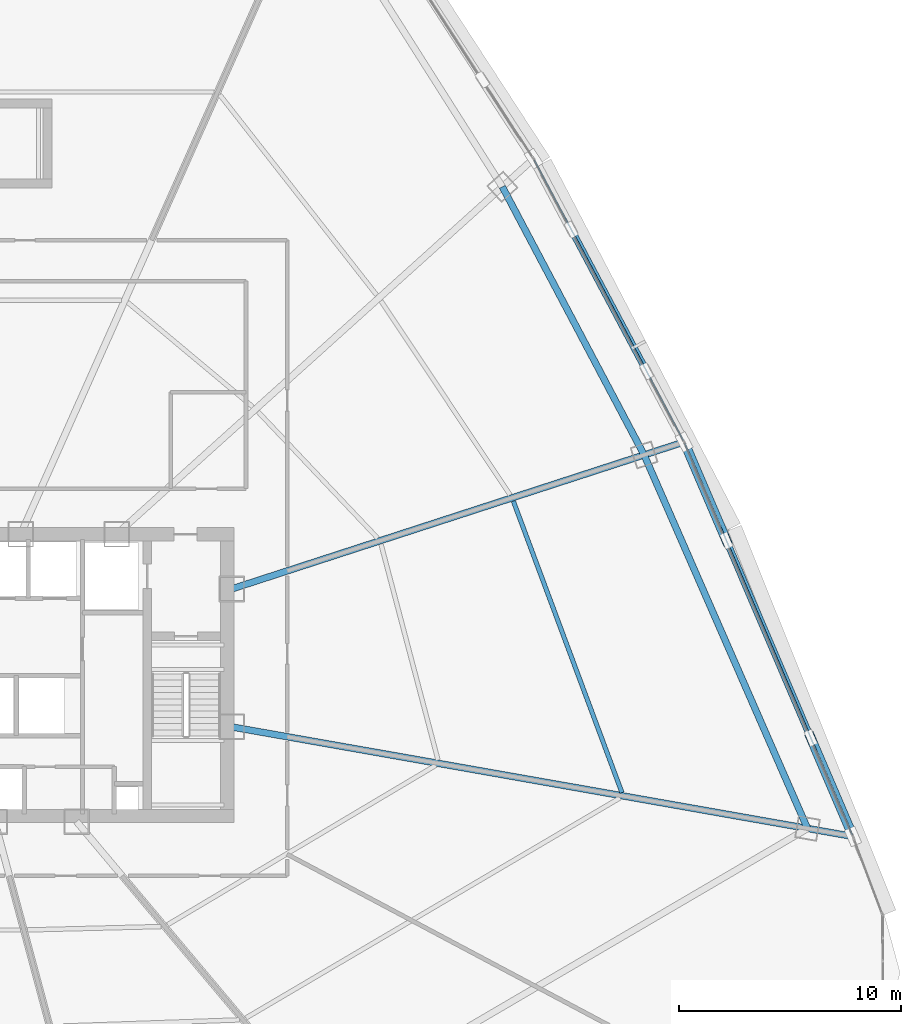
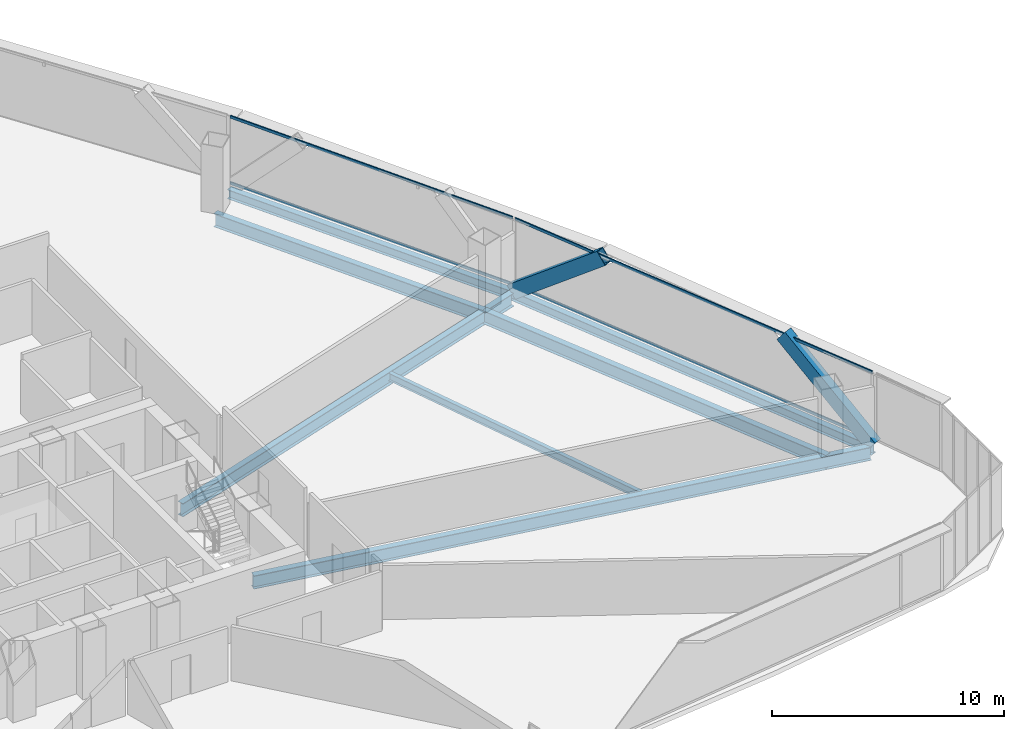
# One storey, part 23 of 39: 7 beams, 6 members, 2 elements without a shape of their own.
"""IFC4 building model written with IfcOpenShell, lengths in metres."""

from ifc_helpers import new_model, si_unit, direction, frame, origin, origin_2d, place, context, subcontext, project, spatial, hollow_rectangle, i_section, extrude, source, transform, mapped, material, layer, layer_set, material_profile, profile_set, type_object, element, aggregate, save


model = new_model("IFC4")

# Units and contexts
model_context = context("Model", 3, precision=1e-05, world=origin(), true_north=direction((0.0, 1.0)))
body_context = subcontext(model_context, "Body", "Model", "MODEL_VIEW")
ifc_project = project(units=[si_unit("LENGTHUNIT", "METRE"), si_unit("AREAUNIT", "SQUARE_METRE"), si_unit("VOLUMEUNIT", "CUBIC_METRE"), si_unit("PLANEANGLEUNIT", "RADIAN"), si_unit("MASSUNIT", "GRAM", prefix="KILO"), si_unit("THERMODYNAMICTEMPERATUREUNIT", "KELVIN"), si_unit("POWERUNIT", "WATT")], contexts=[model_context])

# Site, building, storey
site_placement = place(None, origin())
site = spatial("IfcSite", under=ifc_project, at=site_placement, CompositionType="ELEMENT")
building_placement = place(site_placement, origin())
building = spatial("IfcBuilding", under=site, at=building_placement, Name="Yunzhuo Pagoda Commons", CompositionType="ELEMENT")
storey_placement = place(building_placement, frame((0.0, 0.0, 96.3798828125)))
storey = spatial("IfcBuildingStorey", under=building, at=storey_placement, Name="L24", CompositionType="ELEMENT", Elevation=96.3798828125)

# Beams
ifc_material_1 = material(Name="Structural steel Q355B", Category="steel")
ifc_material_profile_1 = material_profile(ifc_material_1, i_section(OverallWidth=0.300048828125, OverallDepth=0.699951171875, WebThickness=0.012939453125, FlangeThickness=0.02392578125, at=origin_2d()), Name="Structural steel Q355B")
ifc_profile_set_1 = profile_set([ifc_material_profile_1], Name="Structural steel Q355B")
beam_type_1 = type_object("IfcBeamType", Name="B-RG1 Beam HN 700x300x13x24", PredefinedType="BEAM", material=ifc_profile_set_1)
shared_shape_1 = source(origin(), body_context, "Body", "SweptSolid", [
    extrude(i_section(OverallWidth=0.300048828125, OverallDepth=0.699951171875, WebThickness=0.012939453125, FlangeThickness=0.02392578125, at=origin_2d()), origin(), (0.0, 0.0, 1.0), 18.37158203125),
])
beam_1_placement = place(storey_placement, frame((86.352783203125, 26.9375, -0.609619140625), z_axis=(-0.400729599795, 0.916196369698, 0.0), x_axis=(-0.916196369698, -0.400729599795, 0.0)))
element("IfcBeam", 1, at=beam_1_placement, inside=storey, type_object=beam_type_1, Name="L24 column-ring beam 5", PredefinedType="BEAM", context=body_context, shape_type="MappedRepresentation", body=[
    mapped(shared_shape_1, transform((0.0, 0.0, 0.0), scale=1.0)),
])
shared_shape_2 = source(origin(), body_context, "Body", "SweptSolid", [
    extrude(i_section(OverallWidth=0.300048828125, OverallDepth=0.699951171875, WebThickness=0.012939453125, FlangeThickness=0.02392578125, at=origin_2d()), origin(), (0.0, 0.0, 1.0), 13.66748046875),
])
beam_2_placement = place(storey_placement, frame((78.99072265625, 43.76953125, -0.609619140625), z_axis=(-0.467383716456, 0.88405455804, 0.0), x_axis=(-0.88405455804, -0.467383716456, 0.0)))
element("IfcBeam", 2, at=beam_2_placement, inside=storey, type_object=beam_type_1, Name="L24 column-ring beam 6", PredefinedType="BEAM", context=body_context, shape_type="MappedRepresentation", body=[
    mapped(shared_shape_2, transform((0.0, 0.0, 0.0), scale=1.0)),
])
ifc_material_profile_2 = material_profile(ifc_material_1, i_section(OverallWidth=0.199951171875, OverallDepth=0.39990234375, WebThickness=0.008056640625, FlangeThickness=0.012939453125, at=origin_2d()), Name="Structural steel Q355B")
ifc_profile_set_2 = profile_set([ifc_material_profile_2], Name="Structural steel Q355B")
beam_type_2 = type_object("IfcBeamType", Name="B-JS1 Joist HN 400x200x8x13", PredefinedType="JOIST", material=ifc_profile_set_2)
shared_shape_3 = source(origin(), body_context, "Body", "SweptSolid", [
    extrude(i_section(OverallWidth=0.199951171875, OverallDepth=0.39990234375, WebThickness=0.008056640625, FlangeThickness=0.012939453125, at=origin_2d()), origin(), (0.0, 0.0, 1.0), 14.01904296875),
])
beam_3_placement = place(storey_placement, frame((77.992431640625, 28.55078125, -0.4599609375), z_axis=(-0.349168392993, 0.937059994523, 0.0), x_axis=(-0.937059994523, -0.349168392993, 0.0)))
element("IfcBeam", 3, at=beam_3_placement, inside=storey, type_object=beam_type_2, Name="L24 composite ring joist 2.5", PredefinedType="JOIST", context=body_context, shape_type="MappedRepresentation", body=[
    mapped(shared_shape_3, transform((0.0, 0.0, 0.0), scale=1.0)),
])
shared_shape_4 = source(origin(), body_context, "Body", "SweptSolid", [
    extrude(i_section(OverallWidth=0.300048828125, OverallDepth=0.699951171875, WebThickness=0.012939453125, FlangeThickness=0.02392578125, at=origin_2d()), origin(), (0.0, 0.0, 1.0), 28.281005859375),
])
beam_4_placement = place(storey_placement, frame((88.251220703125, 26.6025390625, -0.609619140625), z_axis=(-0.984808056581, 0.173646456036, 0.0), x_axis=(-0.173646456036, -0.984808056581, 0.0)))
element("IfcBeam", 4, at=beam_4_placement, inside=storey, type_object=beam_type_1, Name="L24 radial floor girder F2C1", PredefinedType="BEAM", context=body_context, shape_type="MappedRepresentation", body=[
    mapped(shared_shape_4, transform((0.0, 0.0, 0.0), scale=1.0)),
])
shared_shape_5 = source(origin(), body_context, "Body", "SweptSolid", [
    extrude(i_section(OverallWidth=0.300048828125, OverallDepth=0.699951171875, WebThickness=0.012939453125, FlangeThickness=0.02392578125, at=origin_2d()), origin(), (0.0, 0.0, 1.0), 21.291015625),
])
beam_5_placement = place(storey_placement, frame((80.64892578125, 44.308349609375, -0.609619140625), z_axis=(-0.951055975763, -0.309018657956, 0.0), x_axis=(0.309018657956, -0.951055975763, 0.0)))
element("IfcBeam", 5, at=beam_5_placement, inside=storey, type_object=beam_type_1, Name="L24 radial floor girder F2C2", PredefinedType="BEAM", context=body_context, shape_type="MappedRepresentation", body=[
    mapped(shared_shape_5, transform((0.0, 0.0, 0.0), scale=1.0)),
])
ifc_material_profile_3 = material_profile(ifc_material_1, i_section(OverallWidth=0.300048828125, OverallDepth=0.488037109375, WebThickness=0.010986328125, FlangeThickness=0.01806640625, at=origin_2d()), Name="Structural steel Q355B")
ifc_profile_set_3 = profile_set([ifc_material_profile_3], Name="Structural steel Q355B")
beam_type_3 = type_object("IfcBeamType", Name="B-SP1 Beam HM 488x300x11x18", PredefinedType="BEAM", material=ifc_profile_set_3)
shared_shape_6 = source(origin(), body_context, "Body", "SweptSolid", [
    extrude(i_section(OverallWidth=0.300048828125, OverallDepth=0.488037109375, WebThickness=0.010986328125, FlangeThickness=0.01806640625, at=origin_2d()), origin(), (0.0, 0.0, 1.0), 19.339599609375),
])
beam_6_placement = place(storey_placement, frame((88.40380859375, 26.57568359375, -0.50390625), z_axis=(-0.393360074903, 0.919384495993, 0.0), x_axis=(-0.919384495993, -0.393360074903, 0.0)))
element("IfcBeam", 6, at=beam_6_placement, inside=storey, type_object=beam_type_3, Name="L24 facade edge spandrel beam F2.1", PredefinedType="BEAM", context=body_context, shape_type="MappedRepresentation", body=[
    mapped(shared_shape_6, transform((0.0, 0.0, 0.0), scale=1.0)),
])
shared_shape_7 = source(origin(), body_context, "Body", "SweptSolid", [
    extrude(i_section(OverallWidth=0.300048828125, OverallDepth=0.488037109375, WebThickness=0.010986328125, FlangeThickness=0.01806640625, at=origin_2d()), origin(), (0.0, 0.0, 1.0), 14.45556640625),
])
beam_7_placement = place(storey_placement, frame((80.79638671875, 44.356201171875, -0.50390625), z_axis=(-0.469414934682, 0.882977700227, 0.0), x_axis=(-0.882977700227, -0.469414934682, 0.0)))
element("IfcBeam", 7, at=beam_7_placement, inside=storey, type_object=beam_type_3, Name="L24 facade edge spandrel beam F2.2", PredefinedType="BEAM", context=body_context, shape_type="MappedRepresentation", body=[
    mapped(shared_shape_7, transform((0.0, 0.0, 0.0), scale=1.0)),
])

# Members
ifc_material_2 = material(Name="Structural steel Q420B", Category="steel")
ifc_material_profile_4 = material_profile(ifc_material_2, hollow_rectangle(XDim=0.419921875, YDim=0.719970703125, WallThickness=0.028076171875, at=origin_2d()), Name="Structural steel Q420B")
ifc_profile_set_4 = profile_set([ifc_material_profile_4], Name="Structural steel Q420B")
member_type_1 = type_object("IfcMemberType", Name="M-DL1 Brace BOX 720x420x28", PredefinedType="BRACE", material=ifc_profile_set_4)
shared_shape_8 = source(origin(), body_context, "Body", "SweptSolid", [
    extrude(hollow_rectangle(XDim=0.419921875, YDim=0.719970703125, WallThickness=0.028076171875, at=origin_2d()), origin(), (0.0, 0.0, 1.0), 6.1494140625),
])
for number, where, z_axis, x_axis, name in (
    (8, (88.40380859375, 26.57568359375, -0.259765625), (-0.309278717874, 0.722854636242, 0.617922203464), (-0.919382542639, -0.393364640367, 0.0), "L24 facade diamond brace F2.1L"),
    (9, (80.79638671875, 44.356201171875, -0.259765625), (0.309278717874, -0.722854636242, 0.617922203464), (0.919382542639, 0.393364640367, 0.0), "L24 facade diamond brace F2.1R"),
):
    element("IfcMember", number, at=place(storey_placement, frame(where, z_axis=z_axis, x_axis=x_axis)), inside=storey, type_object=member_type_1, Name=name, PredefinedType="BRACE", context=body_context, shape_type="MappedRepresentation", body=[
        mapped(shared_shape_8, transform((0.0, 0.0, 0.0), scale=1.0)),
    ])

# Curtain wall, members
ifc_material_3 = material(Name="Anodized aluminium 6063-T6", Category="aluminium")
ifc_layer = layer(ifc_material_3, 0.1650390625)
ifc_layer_set = layer_set([ifc_layer], Name="Anodized aluminium 6063-T6")
curtain_wall_type = type_object("IfcCurtainWallType", Name="CW-LOW Low-Zone Ribbon Curtain Wall", PredefinedType="NOTDEFINED", material=ifc_layer_set)
curtain_wall_1_placement = place(storey_placement, origin())
curtain_wall_1 = element("IfcCurtainWall", 10, at=curtain_wall_1_placement, inside=storey, type_object=curtain_wall_type, Name="L24 curtain wall CW-L24-F2B2", PredefinedType="NOTDEFINED")
ifc_material_profile_5 = material_profile(ifc_material_3, hollow_rectangle(XDim=0.06005859375, YDim=0.139892578125, WallThickness=0.00341796875, at=origin_2d()), Name="Anodized aluminium 6063-T6")
ifc_profile_set_5 = profile_set([ifc_material_profile_5], Name="Anodized aluminium 6063-T6")
member_type_2 = type_object("IfcMemberType", Name="CW-LOW-T Transom RHS 140x60x3.5", PredefinedType="USERDEFINED", material=ifc_profile_set_5)
shared_shape_9 = source(origin(), body_context, "Body", "SweptSolid", [
    extrude(hollow_rectangle(XDim=0.06005859375, YDim=0.139892578125, WallThickness=0.00341796875, at=origin_2d()), origin(), (0.0, 0.0, 1.0), 19.20947265625),
])
member_1_placement = place(storey_placement, frame((88.37841796875, 26.635498046875, 0.030029296875), z_axis=(-0.393356285421, 0.91938611732, 0.0), x_axis=(-0.91938611732, -0.393356285421, 0.0)))
member_1 = element("IfcMember", 11, at=member_1_placement, type_object=member_type_2, Name="CW transom 1.1", ObjectType="TRANSOM", PredefinedType="USERDEFINED", context=body_context, shape_type="MappedRepresentation", body=[
    mapped(shared_shape_9, transform((0.0, 0.0, 0.0), scale=1.0)),
])
member_2_placement = place(storey_placement, frame((88.37841796875, 26.635498046875, 3.510009765625), z_axis=(-0.393356285421, 0.91938611732, 0.0), x_axis=(-0.91938611732, -0.393356285421, 0.0)))
member_2 = element("IfcMember", 12, at=member_2_placement, type_object=member_type_2, Name="CW transom 1.2", ObjectType="TRANSOM", PredefinedType="USERDEFINED", context=body_context, shape_type="MappedRepresentation", body=[
    mapped(shared_shape_9, transform((0.0, 0.0, 0.0), scale=1.0)),
])
aggregate(curtain_wall_1, [member_1, member_2])

curtain_wall_2_placement = place(storey_placement, origin())
curtain_wall_2 = element("IfcCurtainWall", 13, at=curtain_wall_2_placement, inside=storey, type_object=curtain_wall_type, Name="L24 curtain wall CW-L24-F2B3", PredefinedType="NOTDEFINED")
shared_shape_10 = source(origin(), body_context, "Body", "SweptSolid", [
    extrude(hollow_rectangle(XDim=0.06005859375, YDim=0.139892578125, WallThickness=0.00341796875, at=origin_2d()), origin(), (0.0, 0.0, 1.0), 14.32568359375),
])
member_3_placement = place(storey_placement, frame((80.765869140625, 44.41357421875, 0.030029296875), z_axis=(-0.469413137866, 0.88297865546, 0.0), x_axis=(-0.88297865546, -0.469413137866, 0.0)))
member_3 = element("IfcMember", 14, at=member_3_placement, type_object=member_type_2, Name="CW transom 1.1", ObjectType="TRANSOM", PredefinedType="USERDEFINED", context=body_context, shape_type="MappedRepresentation", body=[
    mapped(shared_shape_10, transform((0.0, 0.0, 0.0), scale=1.0)),
])
member_4_placement = place(storey_placement, frame((80.765869140625, 44.41357421875, 3.510009765625), z_axis=(-0.469413137866, 0.88297865546, 0.0), x_axis=(-0.88297865546, -0.469413137866, 0.0)))
member_4 = element("IfcMember", 15, at=member_4_placement, type_object=member_type_2, Name="CW transom 1.2", ObjectType="TRANSOM", PredefinedType="USERDEFINED", context=body_context, shape_type="MappedRepresentation", body=[
    mapped(shared_shape_10, transform((0.0, 0.0, 0.0), scale=1.0)),
])
aggregate(curtain_wall_2, [member_3, member_4])

save(model, "model.ifc")
